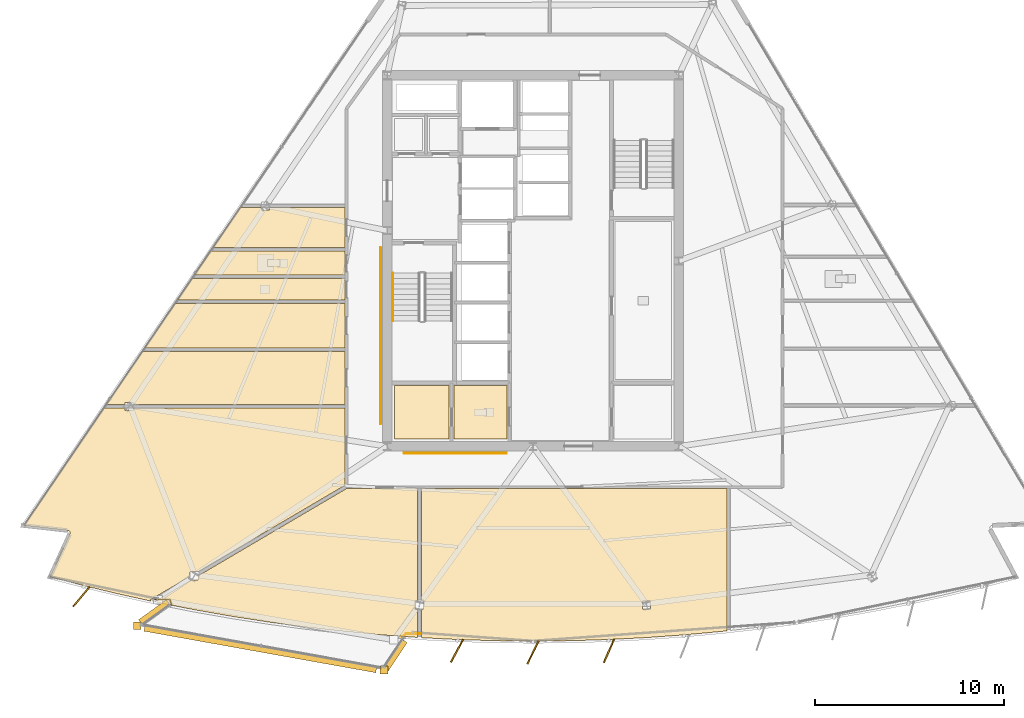
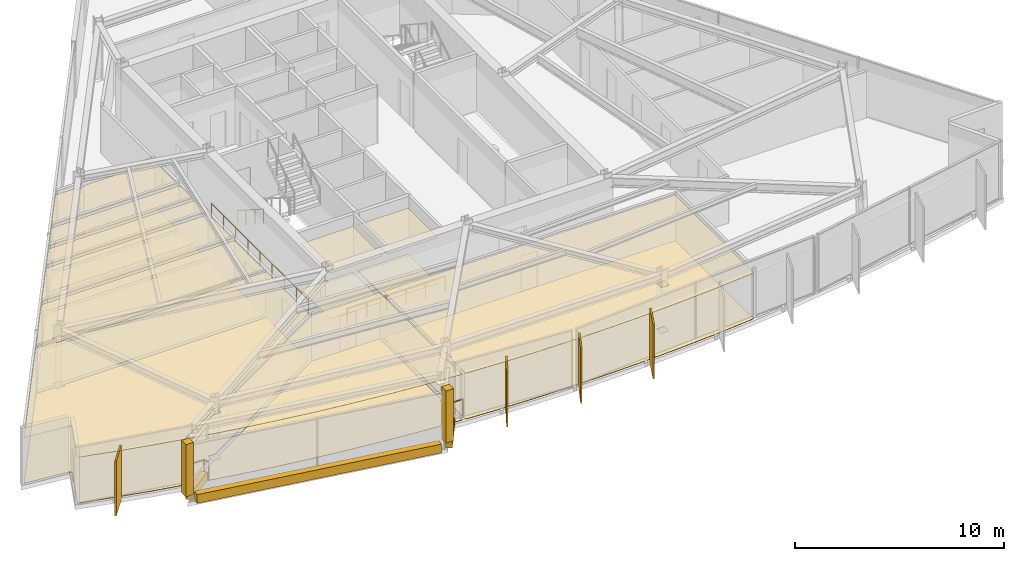
# One storey, part 12 of 16: 25 coverings, 5 railings, 4 shading devices.
"""IFC4 building model written with IfcOpenShell, lengths in metres."""

from ifc_helpers import new_model, si_unit, direction, frame, origin, origin_2d, place, context, subcontext, project, spatial, polyline, rectangle, circle, outline, extrude, material, layer, layer_set, type_object, element, save


model = new_model("IFC4")

# Units and contexts
model_context = context("Model", 3, precision=1e-05, world=origin(), true_north=direction((0.0, 1.0)))
body_context = subcontext(model_context, "Body", "Model", "MODEL_VIEW")
ifc_project = project(units=[si_unit("LENGTHUNIT", "METRE"), si_unit("AREAUNIT", "SQUARE_METRE"), si_unit("VOLUMEUNIT", "CUBIC_METRE"), si_unit("PLANEANGLEUNIT", "RADIAN"), si_unit("MASSUNIT", "GRAM", prefix="KILO")], contexts=[model_context])

# Site, building, storey
site_placement = place(None, origin())
site = spatial("IfcSite", under=ifc_project, at=site_placement, CompositionType="ELEMENT")
building_placement = place(site_placement, origin())
building = spatial("IfcBuilding", under=site, at=building_placement, Name="Savorim Split Tower", CompositionType="ELEMENT")
storey_placement = place(building_placement, frame((0.0, 0.0, 149.39990234375)))
storey = spatial("IfcBuildingStorey", under=building, at=storey_placement, Name="L39", CompositionType="ELEMENT", Elevation=149.39990234375)

# Coverings
ifc_material_1 = material(Name="Mineral Fibre Acoustic Ceiling")
ifc_layer_1 = layer(ifc_material_1, 0.02490234375)
ifc_layer_set_1 = layer_set([ifc_layer_1], Name="COV-CEIL-25")
covering_type_1 = type_object("IfcCoveringType", Name="COV-CEIL-25", PredefinedType="CEILING", material=ifc_layer_set_1)
covering_1_placement = place(storey_placement, frame((0.0, 0.0, 2.670166015625)))
element("IfcCovering", 1, at=covering_1_placement, inside=storey, type_object=covering_type_1, Name="L39 Housekeeping Store Acoustic Ceiling", PredefinedType="CEILING", context=body_context, shape_type="SweptSolid", body=[
    extrude(outline(polyline([(-7.320068359375, -6.179931640625), (-7.320068359375, -9.02001953125), (-4.429931640625, -9.02001953125), (-4.429931640625, -6.179931640625), (-7.320068359375, -6.179931640625)])), origin(), (0.0, 0.0, 1.0), 0.02490234375),
])
covering_2_placement = place(storey_placement, frame((0.0, 0.0, 2.670166015625)))
element("IfcCovering", 2, at=covering_2_placement, inside=storey, type_object=covering_type_1, Name="L39 Accessible WC Acoustic Ceiling", PredefinedType="CEILING", context=body_context, shape_type="SweptSolid", body=[
    extrude(outline(polyline([(-4.169921875, -6.179931640625), (-4.169921875, -9.02001953125), (-1.3798828125, -9.02001953125), (-1.3798828125, -6.179931640625), (-4.169921875, -6.179931640625)])), origin(), (0.0, 0.0, 1.0), 0.02490234375),
])
covering_3_placement = place(storey_placement, frame((0.0, 0.0, 2.670166015625)))
element("IfcCovering", 3, at=covering_3_placement, inside=storey, type_object=covering_type_1, Name="L39 Shared Bathroom Acoustic Ceiling", PredefinedType="CEILING", context=body_context, shape_type="SweptSolid", body=[
    extrude(outline(polyline([(-17.028076171875, 0.9130859375), (-17.87890625, -0.337890625), (-9.919921875, -0.337890625), (-9.919921875, 0.9130859375), (-17.028076171875, 0.9130859375)])), origin(), (0.0, 0.0, 1.0), 0.02490234375),
])
covering_4_placement = place(storey_placement, frame((0.0, 0.0, 2.670166015625)))
element("IfcCovering", 4, at=covering_4_placement, inside=storey, type_object=covering_type_1, Name="L39 Shared Kitchen Acoustic Ceiling", PredefinedType="CEILING", context=body_context, shape_type="SweptSolid", body=[
    extrude(outline(polyline([(-18.00830078125, -0.52783203125), (-18.779296875, -1.66162109375), (-9.919921875, -1.66162109375), (-9.919921875, -0.52783203125), (-18.00830078125, -0.52783203125)])), origin(), (0.0, 0.0, 1.0), 0.02490234375),
])
covering_5_placement = place(storey_placement, frame((0.0, 0.0, 2.670166015625)))
element("IfcCovering", 5, at=covering_5_placement, inside=storey, type_object=covering_type_1, Name="L39 Co-Living Bedroom Acoustic Ceiling", PredefinedType="CEILING", context=body_context, shape_type="SweptSolid", body=[
    extrude(outline(polyline([(-18.90869140625, -1.8515625), (-20.5009765625, -4.19189453125), (-9.919921875, -4.19189453125), (-9.919921875, -1.8515625), (-18.90869140625, -1.8515625)])), origin(), (0.0, 0.0, 1.0), 0.02490234375),
])
covering_6_placement = place(storey_placement, frame((0.0, 0.0, 2.670166015625)))
element("IfcCovering", 6, at=covering_6_placement, inside=storey, type_object=covering_type_1, Name="L39 Co-Working Commons Acoustic Ceiling", PredefinedType="CEILING", context=body_context, shape_type="SweptSolid", body=[
    extrude(outline(polyline([(-21.126953125, -7.072021484375), (-21.126953125, -7.190673828125), (-9.919921875, -7.190673828125), (-9.919921875, -4.382080078125), (-20.630126953125, -4.382080078125), (-22.540771484375, -7.190673828125), (-21.551025390625, -7.190673828125), (-21.551025390625, -7.072021484375), (-21.126953125, -7.072021484375)])), origin(), (0.0, 0.0, 1.0), 0.02490234375),
])
covering_7_placement = place(storey_placement, frame((0.0, 0.0, 2.670166015625)))
element("IfcCovering", 7, at=covering_7_placement, inside=storey, type_object=covering_type_1, Name="L39 Co-Working Commons Acoustic Ceiling", PredefinedType="CEILING", context=body_context, shape_type="SweptSolid", body=[
    extrude(outline(polyline([(-24.447509765625, -13.9501953125), (-24.447265625, -13.9619140625), (-24.447998046875, -13.973876953125), (-24.4501953125, -13.985595703125), (-24.45361328125, -13.9970703125), (-24.4580078125, -14.00830078125), (-25.5048828125, -16.28662109375), (-23.711181640625, -16.755615234375), (-21.770263671875, -17.220947265625), (-20.1796875, -17.568115234375), (-20.2177734375, -17.50341796875), (-18.107666015625, -16.261962890625), (-18.107666015625, -16.033935546875), (-17.72021484375, -16.033935546875), (-9.951416015625, -11.4638671875), (-9.919921875, -11.445556640625), (-9.919921875, -7.380615234375), (-21.126953125, -7.380615234375), (-21.126953125, -7.4990234375), (-21.551025390625, -7.4990234375), (-21.551025390625, -7.380615234375), (-22.544921875, -7.380615234375), (-22.639892578125, -7.380615234375), (-22.639892578125, -7.336181640625), (-26.88623046875, -13.578369140625), (-24.5537109375, -13.8388671875), (-24.5419921875, -13.8408203125), (-24.530517578125, -13.84375), (-24.519287109375, -13.847900390625), (-24.508544921875, -13.853271484375), (-24.49853515625, -13.859619140625), (-24.489013671875, -13.866943359375), (-24.48046875, -13.875244140625), (-24.47265625, -13.88427734375), (-24.4658203125, -13.893798828125), (-24.459716796875, -13.904296875), (-24.455078125, -13.915283203125), (-24.451416015625, -13.926513671875), (-24.44873046875, -13.938232421875), (-24.447509765625, -13.9501953125)])), origin(), (0.0, 0.0, 1.0), 0.02490234375),
])
covering_8_placement = place(storey_placement, frame((0.0, 0.0, 2.670166015625)))
element("IfcCovering", 8, at=covering_8_placement, inside=storey, type_object=covering_type_1, Name="L39 Co-Working Commons Acoustic Ceiling", PredefinedType="CEILING", context=body_context, shape_type="SweptSolid", body=[
    extrude(outline(polyline([(-13.923828125, -18.6826171875), (-11.945556640625, -18.947265625), (-9.962158203125, -19.17138671875), (-7.974853515625, -19.35498046875), (-6.0927734375, -19.489990234375), (-6.0927734375, -17.988525390625), (-6.209716796875, -17.988525390625), (-6.209716796875, -17.5615234375), (-6.0927734375, -17.5615234375), (-6.0927734375, -11.6201171875), (-9.780029296875, -11.6201171875), (-9.793701171875, -11.619384765625), (-9.807373046875, -11.6171875), (-9.820556640625, -11.614013671875), (-9.827392578125, -11.611572265625), (-17.68359375, -16.23291015625), (-17.68359375, -16.4609375), (-18.0712890625, -16.4609375), (-20.014404296875, -17.60400390625), (-19.8203125, -17.646484375), (-17.86181640625, -18.031982421875), (-15.89599609375, -18.37744140625), (-13.923828125, -18.6826171875)])), origin(), (0.0, 0.0, 1.0), 0.02490234375),
])
covering_9_placement = place(storey_placement, frame((0.0, 0.0, 2.670166015625)))
element("IfcCovering", 9, at=covering_9_placement, inside=storey, type_object=covering_type_1, Name="L39 Co-Working Commons Acoustic Ceiling", PredefinedType="CEILING", context=body_context, shape_type="SweptSolid", body=[
    extrude(outline(polyline([(5.98388671875, -19.497802734375), (7.974853515625, -19.35498046875), (9.962158203125, -19.17138671875), (10.237548828125, -19.140380859375), (10.237548828125, -11.6201171875), (-5.90283203125, -11.6201171875), (-5.90283203125, -17.5615234375), (-5.785888671875, -17.5615234375), (-5.785888671875, -17.988525390625), (-5.90283203125, -17.988525390625), (-5.90283203125, -19.44677734375), (-5.90283203125, -19.501953125), (-3.99072265625, -19.599853515625), (-1.99560546875, -19.6611328125), (0.0, -19.681640625), (1.99560546875, -19.6611328125), (3.99072265625, -19.599853515625), (5.98388671875, -19.497802734375)]), holes=[polyline([(5.785888671875, -17.988525390625), (6.209716796875, -17.988525390625), (6.209716796875, -17.5615234375), (5.785888671875, -17.5615234375), (5.785888671875, -17.988525390625)])]), origin(), (0.0, 0.0, 1.0), 0.02490234375),
])
covering_10_placement = place(storey_placement, frame((0.0, 0.0, 2.670166015625)))
element("IfcCovering", 10, at=covering_10_placement, inside=storey, type_object=covering_type_1, Name="L39 Maker Workshop Acoustic Ceiling", PredefinedType="CEILING", context=body_context, shape_type="SweptSolid", body=[
    extrude(outline(polyline([(-14.3466796875, 3.209716796875), (-15.340576171875, 3.209716796875), (-15.435546875, 3.209716796875), (-15.435546875, 3.25390625), (-16.898681640625, 1.10302734375), (-9.919921875, 1.10302734375), (-9.919921875, 3.209716796875), (-13.922607421875, 3.209716796875), (-13.922607421875, 3.091064453125), (-14.3466796875, 3.091064453125), (-14.3466796875, 3.209716796875)])), origin(), (0.0, 0.0, 1.0), 0.02490234375),
])
ifc_material_2 = material(Name="Porcelain Stoneware Flooring", Category="masonry")
ifc_layer_2 = layer(ifc_material_2, 0.02001953125)
ifc_layer_set_2 = layer_set([ifc_layer_2], Name="COV-FLOR-20")
covering_type_2 = type_object("IfcCoveringType", Name="COV-FLOR-20", PredefinedType="FLOORING", material=ifc_layer_set_2)
covering_11_placement = place(storey_placement, origin())
element("IfcCovering", 11, at=covering_11_placement, inside=storey, type_object=covering_type_2, Name="L39 Housekeeping Store Porcelain Flooring", PredefinedType="FLOORING", context=body_context, shape_type="SweptSolid", body=[
    extrude(outline(polyline([(-7.320068359375, -6.179931640625), (-7.320068359375, -9.02001953125), (-4.429931640625, -9.02001953125), (-4.429931640625, -6.179931640625), (-7.320068359375, -6.179931640625)])), origin(), (0.0, 0.0, 1.0), 0.02001953125),
])
covering_12_placement = place(storey_placement, origin())
element("IfcCovering", 12, at=covering_12_placement, inside=storey, type_object=covering_type_2, Name="L39 Accessible WC Porcelain Flooring", PredefinedType="FLOORING", context=body_context, shape_type="SweptSolid", body=[
    extrude(outline(polyline([(-4.169921875, -6.179931640625), (-4.169921875, -9.02001953125), (-1.3798828125, -9.02001953125), (-1.3798828125, -6.179931640625), (-4.169921875, -6.179931640625)])), origin(), (0.0, 0.0, 1.0), 0.02001953125),
])
covering_13_placement = place(storey_placement, origin())
element("IfcCovering", 13, at=covering_13_placement, inside=storey, type_object=covering_type_2, Name="L39 Shared Bathroom Porcelain Flooring", PredefinedType="FLOORING", context=body_context, shape_type="SweptSolid", body=[
    extrude(outline(polyline([(-17.028076171875, 0.9130859375), (-17.87890625, -0.337890625), (-9.919921875, -0.337890625), (-9.919921875, 0.9130859375), (-17.028076171875, 0.9130859375)])), origin(), (0.0, 0.0, 1.0), 0.02001953125),
])
covering_14_placement = place(storey_placement, origin())
element("IfcCovering", 14, at=covering_14_placement, inside=storey, type_object=covering_type_2, Name="L39 Shared Kitchen Porcelain Flooring", PredefinedType="FLOORING", context=body_context, shape_type="SweptSolid", body=[
    extrude(outline(polyline([(-18.00830078125, -0.52783203125), (-18.779296875, -1.66162109375), (-9.919921875, -1.66162109375), (-9.919921875, -0.52783203125), (-18.00830078125, -0.52783203125)])), origin(), (0.0, 0.0, 1.0), 0.02001953125),
])
covering_15_placement = place(storey_placement, origin())
element("IfcCovering", 15, at=covering_15_placement, inside=storey, type_object=covering_type_2, Name="L39 Co-Living Bedroom Porcelain Flooring", PredefinedType="FLOORING", context=body_context, shape_type="SweptSolid", body=[
    extrude(outline(polyline([(-18.90869140625, -1.8515625), (-20.5009765625, -4.19189453125), (-9.919921875, -4.19189453125), (-9.919921875, -1.8515625), (-18.90869140625, -1.8515625)])), origin(), (0.0, 0.0, 1.0), 0.02001953125),
])
covering_16_placement = place(storey_placement, origin())
element("IfcCovering", 16, at=covering_16_placement, inside=storey, type_object=covering_type_2, Name="L39 Co-Working Commons Porcelain Flooring", PredefinedType="FLOORING", context=body_context, shape_type="SweptSolid", body=[
    extrude(outline(polyline([(-21.126953125, -7.072021484375), (-21.126953125, -7.190673828125), (-9.919921875, -7.190673828125), (-9.919921875, -4.382080078125), (-20.630126953125, -4.382080078125), (-22.540771484375, -7.190673828125), (-21.551025390625, -7.190673828125), (-21.551025390625, -7.072021484375), (-21.126953125, -7.072021484375)])), origin(), (0.0, 0.0, 1.0), 0.02001953125),
])
covering_17_placement = place(storey_placement, origin())
element("IfcCovering", 17, at=covering_17_placement, inside=storey, type_object=covering_type_2, Name="L39 Co-Working Commons Porcelain Flooring", PredefinedType="FLOORING", context=body_context, shape_type="SweptSolid", body=[
    extrude(outline(polyline([(-24.447509765625, -13.9501953125), (-24.447265625, -13.9619140625), (-24.447998046875, -13.973876953125), (-24.4501953125, -13.985595703125), (-24.45361328125, -13.9970703125), (-24.4580078125, -14.00830078125), (-25.5048828125, -16.28662109375), (-23.711181640625, -16.755615234375), (-21.770263671875, -17.220947265625), (-20.1796875, -17.568115234375), (-20.2177734375, -17.50341796875), (-18.107666015625, -16.261962890625), (-18.107666015625, -16.033935546875), (-17.72021484375, -16.033935546875), (-9.951416015625, -11.4638671875), (-9.919921875, -11.445556640625), (-9.919921875, -7.380615234375), (-21.126953125, -7.380615234375), (-21.126953125, -7.4990234375), (-21.551025390625, -7.4990234375), (-21.551025390625, -7.380615234375), (-22.544921875, -7.380615234375), (-22.639892578125, -7.380615234375), (-22.639892578125, -7.336181640625), (-26.88623046875, -13.578369140625), (-24.5537109375, -13.8388671875), (-24.5419921875, -13.8408203125), (-24.530517578125, -13.84375), (-24.519287109375, -13.847900390625), (-24.508544921875, -13.853271484375), (-24.49853515625, -13.859619140625), (-24.489013671875, -13.866943359375), (-24.48046875, -13.875244140625), (-24.47265625, -13.88427734375), (-24.4658203125, -13.893798828125), (-24.459716796875, -13.904296875), (-24.455078125, -13.915283203125), (-24.451416015625, -13.926513671875), (-24.44873046875, -13.938232421875), (-24.447509765625, -13.9501953125)])), origin(), (0.0, 0.0, 1.0), 0.02001953125),
])
covering_18_placement = place(storey_placement, origin())
element("IfcCovering", 18, at=covering_18_placement, inside=storey, type_object=covering_type_2, Name="L39 Co-Working Commons Porcelain Flooring", PredefinedType="FLOORING", context=body_context, shape_type="SweptSolid", body=[
    extrude(outline(polyline([(-13.923828125, -18.6826171875), (-11.945556640625, -18.947265625), (-9.962158203125, -19.17138671875), (-7.974853515625, -19.35498046875), (-6.0927734375, -19.489990234375), (-6.0927734375, -17.988525390625), (-6.209716796875, -17.988525390625), (-6.209716796875, -17.5615234375), (-6.0927734375, -17.5615234375), (-6.0927734375, -11.6201171875), (-9.780029296875, -11.6201171875), (-9.793701171875, -11.619384765625), (-9.807373046875, -11.6171875), (-9.820556640625, -11.614013671875), (-9.827392578125, -11.611572265625), (-17.68359375, -16.23291015625), (-17.68359375, -16.4609375), (-18.0712890625, -16.4609375), (-20.014404296875, -17.60400390625), (-19.8203125, -17.646484375), (-17.86181640625, -18.031982421875), (-15.89599609375, -18.37744140625), (-13.923828125, -18.6826171875)])), origin(), (0.0, 0.0, 1.0), 0.02001953125),
])
covering_19_placement = place(storey_placement, origin())
element("IfcCovering", 19, at=covering_19_placement, inside=storey, type_object=covering_type_2, Name="L39 Co-Working Commons Porcelain Flooring", PredefinedType="FLOORING", context=body_context, shape_type="SweptSolid", body=[
    extrude(outline(polyline([(5.98388671875, -19.497802734375), (7.974853515625, -19.35498046875), (9.962158203125, -19.17138671875), (10.237548828125, -19.140380859375), (10.237548828125, -11.6201171875), (-5.90283203125, -11.6201171875), (-5.90283203125, -17.5615234375), (-5.785888671875, -17.5615234375), (-5.785888671875, -17.988525390625), (-5.90283203125, -17.988525390625), (-5.90283203125, -19.44677734375), (-5.90283203125, -19.501953125), (-3.99072265625, -19.599853515625), (-1.99560546875, -19.6611328125), (0.0, -19.681640625), (1.99560546875, -19.6611328125), (3.99072265625, -19.599853515625), (5.98388671875, -19.497802734375)]), holes=[polyline([(5.785888671875, -17.988525390625), (6.209716796875, -17.988525390625), (6.209716796875, -17.5615234375), (5.785888671875, -17.5615234375), (5.785888671875, -17.988525390625)])]), origin(), (0.0, 0.0, 1.0), 0.02001953125),
])
covering_20_placement = place(storey_placement, origin())
element("IfcCovering", 20, at=covering_20_placement, inside=storey, type_object=covering_type_2, Name="L39 Maker Workshop Porcelain Flooring", PredefinedType="FLOORING", context=body_context, shape_type="SweptSolid", body=[
    extrude(outline(polyline([(-14.3466796875, 3.209716796875), (-15.340576171875, 3.209716796875), (-15.435546875, 3.209716796875), (-15.435546875, 3.25390625), (-16.898681640625, 1.10302734375), (-9.919921875, 1.10302734375), (-9.919921875, 3.209716796875), (-13.922607421875, 3.209716796875), (-13.922607421875, 3.091064453125), (-14.3466796875, 3.091064453125), (-14.3466796875, 3.209716796875)])), origin(), (0.0, 0.0, 1.0), 0.02001953125),
])
ifc_material_3 = material(Name="White Porcelain Architectural Cladding")
ifc_layer_3 = layer(ifc_material_3, 0.139892578125)
ifc_layer_set_3 = layer_set([ifc_layer_3], Name="COV-FRM-WHITE")
covering_type_3 = type_object("IfcCoveringType", Name="COV-FRM-WHITE", PredefinedType="CLADDING", material=ifc_layer_set_3)
covering_21_placement = place(storey_placement, frame((0.0, 0.0, 0.010009765625)))
element("IfcCovering", 21, at=covering_21_placement, inside=storey, type_object=covering_type_3, Name="L39 Cantilevered Lounge White Lower Frame Band W", PredefinedType="CLADDING", context=body_context, shape_type="SweptSolid", body=[
    extrude(outline(polyline([(-19.375, -17.504638671875), (-20.83740234375, -18.553955078125), (-20.639404296875, -18.830078125), (-19.1767578125, -17.781005859375), (-19.375, -17.504638671875)])), origin(), (0.0, 0.0, 1.0), 0.510009765625),
])
covering_22_placement = place(storey_placement, frame((0.0, 0.0, 0.010009765625)))
element("IfcCovering", 22, at=covering_22_placement, inside=storey, type_object=covering_type_3, Name="L39 Cantilevered Lounge White Lower Frame Band F", PredefinedType="CLADDING", context=body_context, shape_type="SweptSolid", body=[
    extrude(outline(polyline([(-20.54931640625, -19.15966796875), (-8.3056640625, -21.354736328125), (-8.24560546875, -21.020263671875), (-20.489501953125, -18.8251953125), (-20.54931640625, -19.15966796875)])), origin(), (0.0, 0.0, 1.0), 0.510009765625),
])
covering_23_placement = place(storey_placement, frame((0.0, 0.0, 0.010009765625)))
element("IfcCovering", 23, at=covering_23_placement, inside=storey, type_object=covering_type_3, Name="L39 Cantilevered Lounge White Lower Frame Band E", PredefinedType="CLADDING", context=body_context, shape_type="SweptSolid", body=[
    extrude(outline(polyline([(-7.645751953125, -21.264404296875), (-6.647216796875, -19.7666015625), (-6.929931640625, -19.578125), (-7.928466796875, -21.07568359375), (-7.645751953125, -21.264404296875)])), origin(), (0.0, 0.0, 1.0), 0.510009765625),
])
covering_24_placement = place(storey_placement, frame((0.0, 0.0, 0.5400390625)))
element("IfcCovering", 24, at=covering_24_placement, inside=storey, type_object=covering_type_3, Name="L39 Cantilevered Lounge White Frame Corner Post 1", PredefinedType="CLADDING", context=body_context, shape_type="SweptSolid", body=[
    extrude(outline(polyline([(-21.1142578125, -19.08251953125), (-20.6943359375, -19.08251953125), (-20.6943359375, -18.66259765625), (-21.1142578125, -18.66259765625), (-21.1142578125, -19.08251953125)])), origin(), (0.0, 0.0, 1.0), 3.050048828125),
])
covering_25_placement = place(storey_placement, frame((0.0, 0.0, 0.5400390625)))
element("IfcCovering", 25, at=covering_25_placement, inside=storey, type_object=covering_type_3, Name="L39 Cantilevered Lounge White Frame Corner Post 2", PredefinedType="CLADDING", context=body_context, shape_type="SweptSolid", body=[
    extrude(outline(polyline([(-8.0830078125, -21.4189453125), (-7.6630859375, -21.4189453125), (-7.6630859375, -20.998779296875), (-8.0830078125, -20.998779296875), (-8.0830078125, -21.4189453125)])), origin(), (0.0, 0.0, 1.0), 3.050048828125),
])

# Railings
ifc_material_4 = material(Name="Galvanised Painted Steel Balustrade", Category="steel")
railing_type_1 = type_object("IfcRailingType", Name="RLG-BAL-1100", PredefinedType="BALUSTRADE", material=ifc_material_4)
railing_1_placement = place(storey_placement, frame((-19.961669921875, -17.48681640625, 0.0)))
element("IfcRailing", 26, at=railing_1_placement, inside=storey, type_object=railing_type_1, Name="L39 Cantilevered Lounge West Edge Closure Guard", PredefinedType="BALUSTRADE", context=body_context, shape_type="SweptSolid", body=[
    extrude(circle(Radius=0.02392578125, at=origin_2d()), frame((0.0, 0.0, 1.076171875), z_axis=(1.0, 0.0, 0.0), x_axis=(0.0, 1.0, 0.0)), (0.0, 0.0, 1.0), 0.780029296875),
    extrude(circle(Radius=0.02392578125, at=origin_2d()), frame((0.780029296875, 0.0, 1.076171875), z_axis=(0.317975260738, -0.94809901042, 0.0), x_axis=(0.94809901042, 0.317975260738, 0.0)), (0.0, 0.0, 1.0), 0.293212890625),
    extrude(circle(Radius=0.02099609375, at=origin_2d()), origin(), (0.0, 0.0, 1.0), 1.052001953125),
    extrude(circle(Radius=0.02099609375, at=origin_2d()), frame((0.780029296875, 0.0, 0.0)), (0.0, 0.0, 1.0), 1.052001953125),
    extrude(circle(Radius=0.02099609375, at=origin_2d()), frame((0.873291015625, -0.278076171875, 0.0)), (0.0, 0.0, 1.0), 1.052001953125),
])
railing_2_placement = place(storey_placement, frame((-6.9248046875, -19.4560546875, 0.0)))
element("IfcRailing", 27, at=railing_2_placement, inside=storey, type_object=railing_type_1, Name="L39 Cantilevered Lounge East Edge Closure Guard", PredefinedType="BALUSTRADE", context=body_context, shape_type="SweptSolid", body=[
    extrude(circle(Radius=0.02392578125, at=origin_2d()), frame((0.0, 0.0, 1.076171875), z_axis=(0.816385453628, 0.577507394849, 0.0), x_axis=(-0.577507394849, 0.816385453628, 0.0)), (0.0, 0.0, 1.0), 0.279052734375),
    extrude(circle(Radius=0.02392578125, at=origin_2d()), frame((0.227783203125, 0.1611328125, 1.076171875), z_axis=(1.0, 0.0, 0.0), x_axis=(0.0, 1.0, 0.0)), (0.0, 0.0, 1.0), 0.780029296875),
    extrude(circle(Radius=0.02099609375, at=origin_2d()), origin(), (0.0, 0.0, 1.0), 1.052001953125),
    extrude(circle(Radius=0.02099609375, at=origin_2d()), frame((0.227783203125, 0.1611328125, 0.0)), (0.0, 0.0, 1.0), 1.052001953125),
    extrude(circle(Radius=0.02099609375, at=origin_2d()), frame((1.0078125, 0.1611328125, 0.0)), (0.0, 0.0, 1.0), 1.052001953125),
])
railing_type_2 = type_object("IfcRailingType", Name="RLG-HR-900", PredefinedType="HANDRAIL", material=ifc_material_4)
railing_3_placement = place(storey_placement, frame((-7.39990234375, -0.25, 0.18017578125)))
element("IfcRailing", 28, at=railing_3_placement, inside=storey, type_object=railing_type_2, Name="L39 ST-1 stair handrail 1", PredefinedType="HANDRAIL", context=body_context, shape_type="SweptSolid", body=[
    extrude(circle(Radius=0.02392578125, at=origin_2d()), frame((0.0, 0.0, 0.8759765625), z_axis=(0.0, -0.841199657755, 0.540724639528), x_axis=(1.0, 0.0, 0.0)), (0.0, 0.0, 1.0), 2.995849609375),
    extrude(circle(Radius=0.02099609375, at=origin_2d()), origin(), (0.0, 0.0, 1.0), 0.851806640625),
    extrude(circle(Radius=0.02099609375, at=origin_2d()), frame((0.0, -0.840087890625, 0.5400390625)), (0.0, 0.0, 1.0), 0.851806640625),
    extrude(circle(Radius=0.02099609375, at=origin_2d()), frame((0.0, -1.679931640625, 1.079833984375)), (0.0, 0.0, 1.0), 0.851806640625),
    extrude(circle(Radius=0.02099609375, at=origin_2d()), frame((0.0, -2.52001953125, 1.619873046875)), (0.0, 0.0, 1.0), 0.851806640625),
])
railing_4_placement = place(storey_placement, frame((-6.800048828125, -9.75, 0.0)))
element("IfcRailing", 29, at=railing_4_placement, inside=storey, type_object=railing_type_2, Name="L39 Corridor South Accessible Handrail", PredefinedType="HANDRAIL", context=body_context, shape_type="SweptSolid", body=[
    extrude(circle(Radius=0.02392578125, at=origin_2d()), frame((0.0, 0.0, 0.8759765625), z_axis=(1.0, 0.0, 0.0), x_axis=(0.0, 1.0, 0.0)), (0.0, 0.0, 1.0), 5.400146484375),
    extrude(circle(Radius=0.02099609375, at=origin_2d()), origin(), (0.0, 0.0, 1.0), 0.851806640625),
    extrude(circle(Radius=0.02099609375, at=origin_2d()), frame((1.080078125, 0.0, 0.0)), (0.0, 0.0, 1.0), 0.851806640625),
    extrude(circle(Radius=0.02099609375, at=origin_2d()), frame((2.16015625, 0.0, 0.0)), (0.0, 0.0, 1.0), 0.851806640625),
    extrude(circle(Radius=0.02099609375, at=origin_2d()), frame((3.239990234375, 0.0, 0.0)), (0.0, 0.0, 1.0), 0.851806640625),
    extrude(circle(Radius=0.02099609375, at=origin_2d()), frame((4.320068359375, 0.0, 0.0)), (0.0, 0.0, 1.0), 0.851806640625),
    extrude(circle(Radius=0.02099609375, at=origin_2d()), frame((5.400146484375, 0.0, 0.0)), (0.0, 0.0, 1.0), 0.851806640625),
])
railing_5_placement = place(storey_placement, frame((-8.050048828125, -8.199951171875, 0.0)))
element("IfcRailing", 30, at=railing_5_placement, inside=storey, type_object=railing_type_2, Name="L39 Corridor West Accessible Handrail", PredefinedType="HANDRAIL", context=body_context, shape_type="SweptSolid", body=[
    extrude(circle(Radius=0.02392578125, at=origin_2d()), frame((0.0, 0.0, 0.8759765625), z_axis=(0.0, 1.0, 0.0), x_axis=(-1.0, 0.0, 0.0)), (0.0, 0.0, 1.0), 9.300048828125),
    extrude(circle(Radius=0.02099609375, at=origin_2d()), origin(), (0.0, 0.0, 1.0), 0.851806640625),
    extrude(circle(Radius=0.02099609375, at=origin_2d()), frame((0.0, 1.16259765625, 0.0)), (0.0, 0.0, 1.0), 0.851806640625),
    extrude(circle(Radius=0.02099609375, at=origin_2d()), frame((0.0, 2.324951171875, 0.0)), (0.0, 0.0, 1.0), 0.851806640625),
    extrude(circle(Radius=0.02099609375, at=origin_2d()), frame((0.0, 3.487548828125, 0.0)), (0.0, 0.0, 1.0), 0.851806640625),
    extrude(circle(Radius=0.02099609375, at=origin_2d()), frame((0.0, 4.64990234375, 0.0)), (0.0, 0.0, 1.0), 0.851806640625),
    extrude(circle(Radius=0.02099609375, at=origin_2d()), frame((0.0, 5.8125, 0.0)), (0.0, 0.0, 1.0), 0.851806640625),
    extrude(circle(Radius=0.02099609375, at=origin_2d()), frame((0.0, 6.97509765625, 0.0)), (0.0, 0.0, 1.0), 0.851806640625),
    extrude(circle(Radius=0.02099609375, at=origin_2d()), frame((0.0, 8.137451171875, 0.0)), (0.0, 0.0, 1.0), 0.851806640625),
    extrude(circle(Radius=0.02099609375, at=origin_2d()), frame((0.0, 9.300048828125, 0.0)), (0.0, 0.0, 1.0), 0.851806640625),
])

# Shading devices
ifc_material_5 = material(Name="Terracotta Ceramic-Coated Aluminium Fin", Category="masonry")
shading_device_type = type_object("IfcShadingDeviceType", Name="SHD-FIN-1360", PredefinedType="USERDEFINED", material=ifc_material_5)
for number, where, z_axis, x_axis, name in (
    (31, (-23.85595703125, -17.333740234375, -0.19970703125), (0.0, 0.0, 1.0), (-0.643719022682, -0.765261928909, 0.0), "L39 Sawtooth Shading Fin 01"),
    (32, (-4.01513671875, -20.1953125, -0.19970703125), (0.0, 0.0, 1.0), (-0.474778051978, -0.880105562623, 0.0), "L39 Sawtooth Shading Fin 06"),
    (33, (0.0, -20.277587890625, -0.19970703125), (0.0, 0.0, 1.0), (-0.438371146789, -0.898794046299, 0.0), "L39 Sawtooth Shading Fin 07"),
    (34, (4.01513671875, -20.1953125, -0.19970703125), (0.0, 0.0, 1.0), (-0.401230091723, -0.915977299662, 0.0), "L39 Sawtooth Shading Fin 08"),
):
    element("IfcShadingDevice", number, at=place(storey_placement, frame(where, z_axis=z_axis, x_axis=x_axis)), inside=storey, type_object=shading_device_type, Name=name, ObjectType="FIN", PredefinedType="USERDEFINED", context=body_context, shape_type="SweptSolid", body=[
        extrude(rectangle(XDim=1.360107421875, YDim=0.080078125, at=origin_2d()), origin(), (0.0, 0.0, 1.0), 3.199951171875),
    ])

save(model, "model.ifc")
